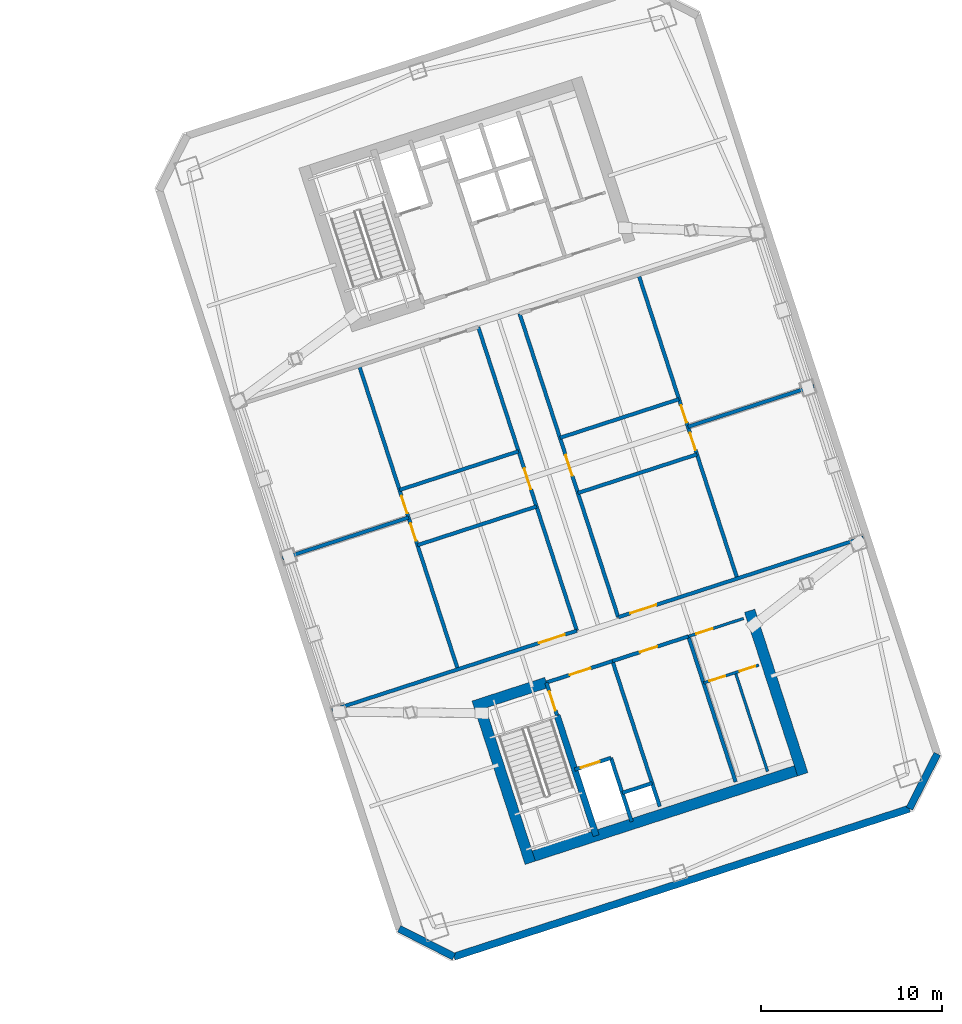
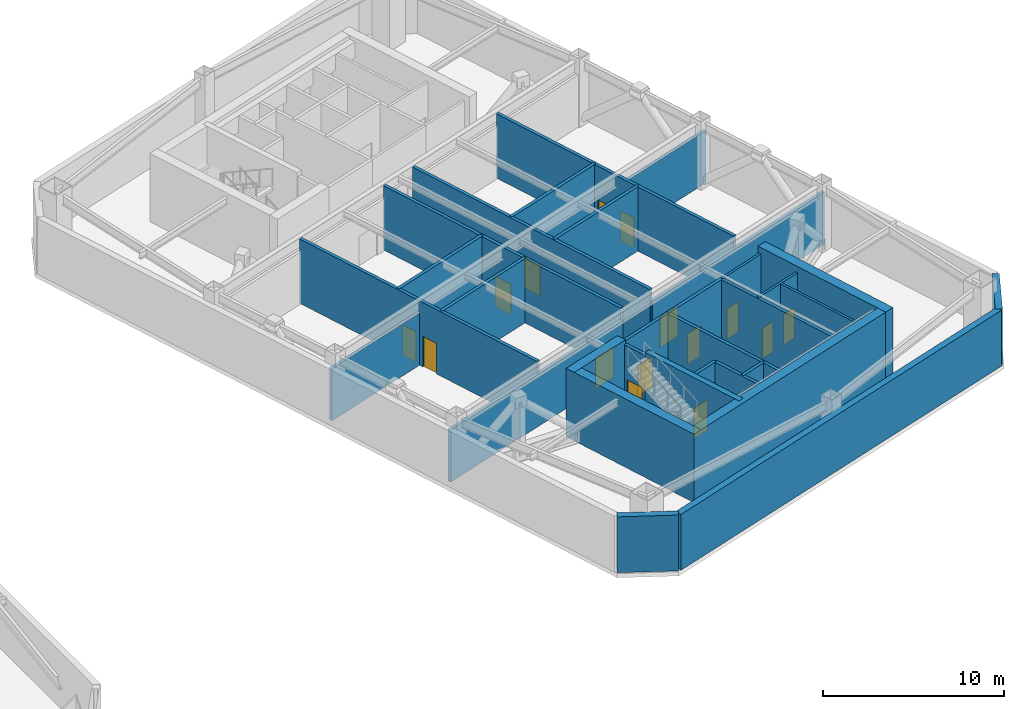
# One storey, part 10 of 14: 31 walls, 15 doors, 15 openings.
"""IFC4 building model written with IfcOpenShell, lengths in metres."""

from ifc_helpers import new_model, si_unit, direction, frame, frame_2d, origin, place, context, subcontext, project, spatial, rectangle, extrude, material, layer, layer_set, type_object, element, fill, save


model = new_model("IFC4")

# Units and contexts
model_context = context("Model", 3, precision=1e-05, world=origin(), true_north=direction((0.0, 1.0)))
body_context = subcontext(model_context, "Body", "Model", "MODEL_VIEW")
ifc_project = project(units=[si_unit("LENGTHUNIT", "METRE"), si_unit("AREAUNIT", "SQUARE_METRE"), si_unit("VOLUMEUNIT", "CUBIC_METRE"), si_unit("PLANEANGLEUNIT", "RADIAN"), si_unit("MASSUNIT", "GRAM", prefix="KILO")], contexts=[model_context])

# Site, building, storey
site_placement = place(None, origin())
site = spatial("IfcSite", under=ifc_project, at=site_placement, CompositionType="ELEMENT")
building_placement = place(site_placement, origin())
building = spatial("IfcBuilding", under=site, at=building_placement, Name="Qiaolan Cultural Towers", CompositionType="ELEMENT")
storey_placement = place(building_placement, frame((0.0, 0.0, 138.0)))
storey = spatial("IfcBuildingStorey", under=building, at=storey_placement, Name="L36", CompositionType="ELEMENT", Elevation=138.0)

# Walls
ifc_material_1 = material(Name="Concrete C50", Category="concrete")
ifc_layer_1 = layer(ifc_material_1, 0.35009765625)
ifc_layer_set_1 = layer_set([ifc_layer_1], Name="Concrete C50")
wall_type_1 = type_object("IfcWallType", Name="WL-CORE-350", PredefinedType="SHEAR", material=ifc_layer_set_1)
wall_1_placement = place(storey_placement, frame((90.486328125, 20.59423828125, 0.0), z_axis=(0.0, 0.0, 1.0), x_axis=(0.309020428229, -0.951055400562, 0.0)))
element("IfcWall", 1, at=wall_1_placement, inside=storey, type_object=wall_type_1, Name="L36 T2-CS Stair Core Dividing Web", PredefinedType="SHEAR", context=body_context, shape_type="SweptSolid", body=[
    extrude(rectangle(XDim=6.97998046875, YDim=0.35009765625, at=frame_2d((3.489990234375, 0.0))), origin(), (0.0, 0.0, 1.0), 4.60009765625),
])
ifc_material_2 = material(Name="Concrete C55", Category="concrete")
ifc_layer_2 = layer(ifc_material_2, 0.60009765625)
ifc_layer_set_2 = layer_set([ifc_layer_2], Name="Concrete C55")
wall_type_2 = type_object("IfcWallType", Name="WL-CORE-600", PredefinedType="SHEAR", material=ifc_layer_set_2)
wall_2_placement = place(storey_placement, frame((88.6298828125, 12.65185546875, 0.0), z_axis=(0.0, 0.0, 1.0), x_axis=(0.95105714907, 0.309015046886, 0.0)))
element("IfcWall", 2, at=wall_2_placement, inside=storey, type_object=wall_type_2, Name="L36 T2-CS Outer Core Shear Wall", PredefinedType="SHEAR", context=body_context, shape_type="SweptSolid", body=[
    extrude(rectangle(XDim=16.400146484375, YDim=0.60009765625, at=frame_2d((8.2001953125, 0.0))), origin(), (0.0, 0.0, 1.0), 4.60009765625),
])
wall_3_placement = place(storey_placement, frame((86.078369140625, 21.47509765625, 0.0), z_axis=(0.0, 0.0, 1.0), x_axis=(0.309017938678, -0.951056209472, 0.0)))
element("IfcWall", 3, at=wall_3_placement, inside=storey, type_object=wall_type_2, Name="L36 T2-CS West Core Shear Wall", PredefinedType="SHEAR", context=body_context, shape_type="SweptSolid", body=[
    extrude(rectangle(XDim=9.479736328125, YDim=0.60009765625, at=frame_2d((4.73974609375, 0.0))), origin(), (0.0, 0.0, 1.0), 4.60009765625),
])
wall_4_placement = place(storey_placement, frame((101.105224609375, 26.357666015625, 0.0), z_axis=(0.0, 0.0, 1.0), x_axis=(0.309010370028, -0.95105866865, 0.0)))
element("IfcWall", 4, at=wall_4_placement, inside=storey, type_object=wall_type_2, Name="L36 T2-CS East Core Shear Wall", PredefinedType="SHEAR", context=body_context, shape_type="SweptSolid", body=[
    extrude(rectangle(XDim=9.47998046875, YDim=0.60009765625, at=frame_2d((4.739990234375, 0.0))), origin(), (0.0, 0.0, 1.0), 4.60009765625),
])
wall_5_placement = place(storey_placement, frame((85.8857421875, 21.09716796875, 0.0), z_axis=(0.0, 0.0, 1.0), x_axis=(0.951068073652, 0.308981422225, 0.0)))
element("IfcWall", 5, at=wall_5_placement, inside=storey, type_object=wall_type_2, Name="L36 T2-CS Stair Front Shear Wall", PredefinedType="SHEAR", context=body_context, shape_type="SweptSolid", body=[
    extrude(rectangle(XDim=4.22021484375, YDim=0.60009765625, at=frame_2d((2.110107421875, 0.0))), origin(), (0.0, 0.0, 1.0), 4.60009765625),
])
ifc_material_3 = material(Name="Precast Concrete C50 Honed Stone Pier", Category="masonry")
ifc_layer_3 = layer(ifc_material_3, 0.39990234375)
ifc_layer_set_3 = layer_set([ifc_layer_3], Name="Precast Concrete C50 Honed Stone Pier")
wall_type_3 = type_object("IfcWallType", Name="WL-EXT-PIER-400", PredefinedType="SOLIDWALL", material=ifc_layer_set_3)
wall_6_placement = place(storey_placement, frame((111.449462890625, 18.468017578125, 0.0), z_axis=(0.0, 0.0, 1.0), x_axis=(-0.454019523198, -0.890991735402, 0.0)))
element("IfcWall", 6, at=wall_6_placement, inside=storey, type_object=wall_type_3, Name="L36 East Tower Precast Pier Facade Wall F6", PredefinedType="SOLIDWALL", context=body_context, shape_type="SweptSolid", body=[
    extrude(rectangle(XDim=3.39404296875, YDim=0.39990234375, at=frame_2d((1.697021484375, 0.0))), origin(), (0.0, 0.0, 1.0), 3.760009765625),
])
wall_7_placement = place(storey_placement, frame((109.908447265625, 15.44384765625, 0.0), z_axis=(0.0, 0.0, 1.0), x_axis=(-0.951057580055, -0.30901372044, 0.0)))
element("IfcWall", 7, at=wall_7_placement, inside=storey, type_object=wall_type_3, Name="L36 East Tower Precast Pier Facade Wall F7", PredefinedType="SOLIDWALL", context=body_context, shape_type="SweptSolid", body=[
    extrude(rectangle(XDim=26.39990234375, YDim=0.39990234375, at=frame_2d((13.199951171875, 0.0))), origin(), (0.0, 0.0, 1.0), 3.760009765625),
])
wall_8_placement = place(storey_placement, frame((84.800537109375, 7.285888671875, 0.0), z_axis=(0.0, 0.0, 1.0), x_axis=(-0.891020832027, 0.453962417932, 0.0)))
element("IfcWall", 8, at=wall_8_placement, inside=storey, type_object=wall_type_3, Name="L36 East Tower Precast Pier Facade Wall F8", PredefinedType="SOLIDWALL", context=body_context, shape_type="SweptSolid", body=[
    extrude(rectangle(XDim=3.39404296875, YDim=0.39990234375, at=frame_2d((1.697021484375, 0.0))), origin(), (0.0, 0.0, 1.0), 3.760009765625),
])

# Wall, opening, door
ifc_material_4 = material(Name="Concrete C35 Fire Wall", Category="concrete")
ifc_layer_4 = layer(ifc_material_4, 0.199951171875)
ifc_layer_set_4 = layer_set([ifc_layer_4], Name="Concrete C35 Fire Wall")
wall_type_4 = type_object("IfcWallType", Name="WL-FIRE-200", PredefinedType="PARTITIONING", material=ifc_layer_set_4)
wall_9_placement = place(storey_placement, frame((89.8994140625, 22.401123046875, 0.0), z_axis=(0.0, 0.0, 1.0), x_axis=(0.308932062672, -0.951084108086, 0.0)))
wall_9 = element("IfcWall", 9, at=wall_9_placement, inside=storey, type_object=wall_type_4, Name="L36 T2-CS Smokeproof Stair Entry Wall", PredefinedType="PARTITIONING", context=body_context, shape_type="SweptSolid", body=[
    extrude(rectangle(XDim=1.89990234375, YDim=0.199951171875, at=frame_2d((0.949951171875, 0.0))), origin(), (0.0, 0.0, 1.0), 4.324951171875),
])
opening_1_placement = place(wall_9_placement, frame((0.52001953125, 0.0, 0.0)))
opening_1 = element("IfcOpeningElement", 10, at=opening_1_placement, cuts=wall_9, Name="Opening FD-04", PredefinedType="OPENING", context=body_context, shape_type="SweptSolid", body=[
    extrude(rectangle(XDim=1.10009765625, YDim=2.050048828125, at=frame_2d((0.550048828125, 1.02490234375))), frame((0.0, 0.10986328125, 0.0), z_axis=(0.0, -1.0, 0.0), x_axis=(1.0, 0.0, 0.0)), (0.0, 0.0, 1.0), 0.219970703125),
])
ifc_material_5 = material(Name="Galvanized Steel Command Fire Door", Category="steel")
door_type_1 = type_object("IfcDoorType", Name="DR-FD90-1100", OperationType="NOTDEFINED", PredefinedType="DOOR", material=ifc_material_5)
door_1_placement = place(opening_1_placement, origin())
door_1 = element("IfcDoor", 11, at=door_1_placement, inside=storey, type_object=door_type_1, Name="L36 ST-E1 Smokeproof Stair Fire Door", OperationType="SINGLE_SWING_LEFT", OverallHeight=2.050048828125, OverallWidth=1.10009765625, PredefinedType="DOOR", context=body_context, shape_type="SweptSolid", body=[
    extrude(rectangle(XDim=1.10009765625, YDim=2.050048828125, at=frame_2d((0.550048828125, 1.02490234375))), frame((0.0, 0.02490234375, 0.0), z_axis=(0.0, -1.0, 0.0), x_axis=(1.0, 0.0, 0.0)), (0.0, 0.0, 1.0), 0.050048828125),
])
fill(opening_1, door_1)

# Wall
wall_10_placement = place(storey_placement, frame((93.541748046875, 23.584716796875, 0.0), z_axis=(0.0, 0.0, 1.0), x_axis=(0.309042196757, -0.951048327176, 0.0)))
element("IfcWall", 12, at=wall_10_placement, inside=storey, type_object=wall_type_4, Name="L36 T2-CS Firefighting Zone Wall", PredefinedType="PARTITIONING", context=body_context, shape_type="SweptSolid", body=[
    extrude(rectangle(XDim=8.429931640625, YDim=0.199951171875, at=frame_2d((4.21484375, 0.0))), origin(), (0.0, 0.0, 1.0), 4.324951171875),
])

# Wall, opening, door
wall_11_placement = place(storey_placement, frame((89.8994140625, 22.401123046875, 0.0), z_axis=(0.0, 0.0, 1.0), x_axis=(0.951046716504, 0.309047153403, 0.0)))
wall_11 = element("IfcWall", 13, at=wall_11_placement, inside=storey, type_object=wall_type_4, Name="L36 T2-CS Firefighting Lobby Front Wall", PredefinedType="PARTITIONING", context=body_context, shape_type="SweptSolid", body=[
    extrude(rectangle(XDim=3.829833984375, YDim=0.199951171875, at=frame_2d((1.9150390625, 0.0))), origin(), (0.0, 0.0, 1.0), 4.324951171875),
])
opening_2_placement = place(wall_11_placement, frame((1.35009765625, 0.0, 0.0)))
opening_2 = element("IfcOpeningElement", 14, at=opening_2_placement, cuts=wall_11, Name="Opening FD-03", PredefinedType="OPENING", context=body_context, shape_type="SweptSolid", body=[
    extrude(rectangle(XDim=1.199951171875, YDim=2.050048828125, at=frame_2d((0.60009765625, 1.02490234375))), frame((0.0, 0.10986328125, 0.0), z_axis=(0.0, -1.0, 0.0), x_axis=(1.0, 0.0, 0.0)), (0.0, 0.0, 1.0), 0.219970703125),
])
ifc_material_6 = material(Name="Galvanized Steel Smokeproof Lobby Fire Door", Category="steel")
door_type_2 = type_object("IfcDoorType", Name="DR-FD90-1200", OperationType="NOTDEFINED", PredefinedType="DOOR", material=ifc_material_6)
door_2_placement = place(opening_2_placement, origin())
door_2 = element("IfcDoor", 15, at=door_2_placement, inside=storey, type_object=door_type_2, Name="L36 FFL-E1 Firefighting Lobby Fire Door", OperationType="SINGLE_SWING_LEFT", OverallHeight=2.050048828125, OverallWidth=1.199951171875, PredefinedType="DOOR", context=body_context, shape_type="SweptSolid", body=[
    extrude(rectangle(XDim=1.199951171875, YDim=2.050048828125, at=frame_2d((0.60009765625, 1.02490234375))), frame((0.0, 0.02490234375, 0.0), z_axis=(0.0, -1.0, 0.0), x_axis=(1.0, 0.0, 0.0)), (0.0, 0.0, 1.0), 0.050048828125),
])
fill(opening_2, door_2)

wall_12_placement = place(storey_placement, frame((91.459716796875, 17.598388671875, 0.0), z_axis=(0.0, 0.0, 1.0), x_axis=(0.951062257173, 0.308999325213, 0.0)))
wall_12 = element("IfcWall", 16, at=wall_12_placement, inside=storey, type_object=wall_type_4, Name="L36 T2-CS Firefighting Shaft Front Wall", PredefinedType="PARTITIONING", context=body_context, shape_type="SweptSolid", body=[
    extrude(rectangle(XDim=2.10009765625, YDim=0.199951171875, at=frame_2d((1.050048828125, 0.0))), origin(), (0.0, 0.0, 1.0), 4.324951171875),
])
opening_3_placement = place(wall_12_placement, frame((0.35009765625, 0.0, 0.0)))
opening_3 = element("IfcOpeningElement", 17, at=opening_3_placement, cuts=wall_12, Name="Opening LD-01", PredefinedType="OPENING", context=body_context, shape_type="SweptSolid", body=[
    extrude(rectangle(XDim=1.10009765625, YDim=2.050048828125, at=frame_2d((0.550048828125, 1.02490234375))), frame((0.0, 0.10986328125, 0.0), z_axis=(0.0, -1.0, 0.0), x_axis=(1.0, 0.0, 0.0)), (0.0, 0.0, 1.0), 0.219970703125),
])
ifc_material_7 = material(Name="Brushed Stainless Steel S30408 Centre-Parting Lift Landing Door", Category="steel")
door_type_3 = type_object("IfcDoorType", Name="DR-LIFT-1100", OperationType="NOTDEFINED", PredefinedType="DOOR", material=ifc_material_7)
door_3_placement = place(opening_3_placement, origin())
door_3 = element("IfcDoor", 18, at=door_3_placement, inside=storey, type_object=door_type_3, Name="L36 FFL-E1 Firefighting Lift Landing Door", OperationType="DOUBLE_DOOR_SLIDING", OverallHeight=2.050048828125, OverallWidth=1.10009765625, PredefinedType="DOOR", context=body_context, shape_type="SweptSolid", body=[
    extrude(rectangle(XDim=1.10009765625, YDim=2.050048828125, at=frame_2d((0.550048828125, 1.02490234375))), frame((0.0, 0.02490234375, 0.0), z_axis=(0.0, -1.0, 0.0), x_axis=(1.0, 0.0, 0.0)), (0.0, 0.0, 1.0), 0.050048828125),
])
fill(opening_3, door_3)

# Walls
wall_13_placement = place(storey_placement, frame((93.45703125, 18.247314453125, 0.0), z_axis=(0.0, 0.0, 1.0), x_axis=(0.3089935693, -0.951064127245, 0.0)))
element("IfcWall", 19, at=wall_13_placement, inside=storey, type_object=wall_type_4, Name="L36 T2-CS Firefighting Hoistway East Wall", PredefinedType="PARTITIONING", context=body_context, shape_type="SweptSolid", body=[
    extrude(rectangle(XDim=3.7001953125, YDim=0.199951171875, at=frame_2d((1.85009765625, 0.0))), origin(), (0.0, 0.0, 1.0), 4.324951171875),
])
wall_14_placement = place(storey_placement, frame((94.08447265625, 16.316650390625, 0.0), z_axis=(0.0, 0.0, 1.0), x_axis=(0.951041328149, 0.309063734775, 0.0)))
element("IfcWall", 20, at=wall_14_placement, inside=storey, type_object=wall_type_4, Name="L36 T2-CS Pressurization Shaft Front Wall", PredefinedType="PARTITIONING", context=body_context, shape_type="SweptSolid", body=[
    extrude(rectangle(XDim=1.72998046875, YDim=0.199951171875, at=frame_2d((0.864990234375, 0.0))), origin(), (0.0, 0.0, 1.0), 4.324951171875),
])
wall_15_placement = place(storey_placement, frame((97.7265625, 24.9443359375, 0.0), z_axis=(0.0, 0.0, 1.0), x_axis=(0.309016001439, -0.951056838919, 0.0)))
element("IfcWall", 21, at=wall_15_placement, inside=storey, type_object=wall_type_4, Name="L36 T2-CS Lift Core East Wall", PredefinedType="PARTITIONING", context=body_context, shape_type="SweptSolid", body=[
    extrude(rectangle(XDim=8.429931640625, YDim=0.199951171875, at=frame_2d((4.21484375, 0.0))), origin(), (0.0, 0.0, 1.0), 4.324951171875),
])

# Wall, opening, door
wall_16_placement = place(storey_placement, frame((93.541748046875, 23.584716796875, 0.0), z_axis=(0.0, 0.0, 1.0), x_axis=(0.951063829732, 0.308994485023, 0.0)))
wall_16 = element("IfcWall", 22, at=wall_16_placement, inside=storey, type_object=wall_type_4, Name="L36 T2-CS Refuge Core Riser Wall", PredefinedType="PARTITIONING", context=body_context, shape_type="SweptSolid", body=[
    extrude(rectangle(XDim=4.400146484375, YDim=0.199951171875, at=frame_2d((2.2001953125, 0.0))), origin(), (0.0, 0.0, 1.0), 4.324951171875),
])
opening_4_placement = place(wall_16_placement, frame((1.60009765625, 0.0, 0.0)))
opening_4 = element("IfcOpeningElement", 23, at=opening_4_placement, cuts=wall_16, Name="Opening FD-07", PredefinedType="OPENING", context=body_context, shape_type="SweptSolid", body=[
    extrude(rectangle(XDim=1.0, YDim=2.050048828125, at=frame_2d((0.5, 1.02490234375))), frame((0.0, 0.10986328125, 0.0), z_axis=(0.0, -1.0, 0.0), x_axis=(1.0, 0.0, 0.0)), (0.0, 0.0, 1.0), 0.219970703125),
])
ifc_material_8 = material(Name="Painted Steel Riser Fire Door", Category="steel")
door_type_4 = type_object("IfcDoorType", Name="DR-FD60-1000", OperationType="NOTDEFINED", PredefinedType="DOOR", material=ifc_material_8)
door_4_placement = place(opening_4_placement, origin())
door_4 = element("IfcDoor", 24, at=door_4_placement, inside=storey, type_object=door_type_4, Name="L36 Core Plant Room Door", OperationType="SINGLE_SWING_LEFT", OverallHeight=2.050048828125, OverallWidth=1.0, PredefinedType="DOOR", context=body_context, shape_type="SweptSolid", body=[
    extrude(rectangle(XDim=1.0, YDim=2.050048828125, at=frame_2d((0.5, 1.02490234375))), frame((0.0, 0.02490234375, 0.0), z_axis=(0.0, -1.0, 0.0), x_axis=(1.0, 0.0, 0.0)), (0.0, 0.0, 1.0), 0.050048828125),
])
fill(opening_4, door_4)

wall_17_placement = place(storey_placement, frame((78.072998046875, 20.871826171875, 0.0), z_axis=(0.0, 0.0, 1.0), x_axis=(0.951059461247, 0.3090079306, 0.0)))
wall_17 = element("IfcWall", 25, at=wall_17_placement, inside=storey, type_object=wall_type_4, Name="L36 T2 Fire Rated Plant/Refuge Wall SBW", PredefinedType="PARTITIONING", context=body_context, shape_type="SweptSolid", body=[
    extrude(rectangle(XDim=14.2001953125, YDim=0.199951171875, at=frame_2d((7.10009765625, 0.0))), origin(), (0.0, 0.0, 1.0), 3.514892578125),
])
opening_5_placement = place(wall_17_placement, frame((12.0, 0.0, 0.0)))
opening_5 = element("IfcOpeningElement", 26, at=opening_5_placement, cuts=wall_17, Name="Opening FD-02", PredefinedType="OPENING", context=body_context, shape_type="SweptSolid", body=[
    extrude(rectangle(XDim=1.5, YDim=2.050048828125, at=frame_2d((0.75, 1.02490234375))), frame((0.0, 0.10986328125, 0.0), z_axis=(0.0, -1.0, 0.0), x_axis=(1.0, 0.0, 0.0)), (0.0, 0.0, 1.0), 0.219970703125),
])
ifc_material_9 = material(Name="Galvanized Steel Double Fire Door", Category="steel")
door_type_5 = type_object("IfcDoorType", Name="DR-FD90-1500", OperationType="NOTDEFINED", PredefinedType="DOOR", material=ifc_material_9)
door_5_placement = place(opening_5_placement, origin())
door_5 = element("IfcDoor", 27, at=door_5_placement, inside=storey, type_object=door_type_5, Name="L36 T2 West South Refuge Fire Door", OperationType="SINGLE_SWING_LEFT", OverallHeight=2.050048828125, OverallWidth=1.5, PredefinedType="DOOR", context=body_context, shape_type="SweptSolid", body=[
    extrude(rectangle(XDim=1.5, YDim=2.050048828125, at=frame_2d((0.75, 1.02490234375))), frame((0.0, 0.02490234375, 0.0), z_axis=(0.0, -1.0, 0.0), x_axis=(1.0, 0.0, 0.0)), (0.0, 0.0, 1.0), 0.050048828125),
])
fill(opening_5, door_5)

wall_18_placement = place(storey_placement, frame((93.860595703125, 26.00146484375, 0.0), z_axis=(0.0, 0.0, 1.0), x_axis=(0.951054408413, 0.309023481693, 0.0)))
wall_18 = element("IfcWall", 28, at=wall_18_placement, inside=storey, type_object=wall_type_4, Name="L36 T2 Fire Rated Plant/Refuge Wall SBE", PredefinedType="PARTITIONING", context=body_context, shape_type="SweptSolid", body=[
    extrude(rectangle(XDim=14.2001953125, YDim=0.199951171875, at=frame_2d((7.10009765625, 0.0))), origin(), (0.0, 0.0, 1.0), 3.514892578125),
])
opening_6_placement = place(wall_18_placement, frame((0.699951171875, 0.0, 0.0)))
opening_6 = element("IfcOpeningElement", 29, at=opening_6_placement, cuts=wall_18, Name="Opening FD-02", PredefinedType="OPENING", context=body_context, shape_type="SweptSolid", body=[
    extrude(rectangle(XDim=1.5, YDim=2.050048828125, at=frame_2d((0.75, 1.02490234375))), frame((0.0, 0.10986328125, 0.0), z_axis=(0.0, -1.0, 0.0), x_axis=(1.0, 0.0, 0.0)), (0.0, 0.0, 1.0), 0.219970703125),
])
door_6_placement = place(opening_6_placement, origin())
door_6 = element("IfcDoor", 30, at=door_6_placement, inside=storey, type_object=door_type_5, Name="L36 T2 East South Refuge Fire Door", OperationType="SINGLE_SWING_RIGHT", OverallHeight=2.050048828125, OverallWidth=1.5, PredefinedType="DOOR", context=body_context, shape_type="SweptSolid", body=[
    extrude(rectangle(XDim=1.5, YDim=2.050048828125, at=frame_2d((0.75, 1.02490234375))), frame((0.0, 0.02490234375, 0.0), z_axis=(0.0, -1.0, 0.0), x_axis=(1.0, 0.0, 0.0)), (0.0, 0.0, 1.0), 0.050048828125),
])
fill(opening_6, door_6)

wall_19_placement = place(storey_placement, frame((91.578125, 25.259765625, 0.0), z_axis=(0.0, 0.0, 1.0), x_axis=(-0.30901518495, 0.951057104211, 0.0)))
wall_19 = element("IfcWall", 31, at=wall_19_placement, inside=storey, type_object=wall_type_4, Name="L36 T2 Fire Rated Plant/Refuge Wall CL", PredefinedType="PARTITIONING", context=body_context, shape_type="SweptSolid", body=[
    extrude(rectangle(XDim=17.60009765625, YDim=0.199951171875, at=frame_2d((8.800048828125, 0.0))), origin(), (0.0, 0.0, 1.0), 4.324951171875),
])
opening_7_placement = place(wall_19_placement, frame((8.199951171875, 0.0, 0.0)))
opening_7 = element("IfcOpeningElement", 32, at=opening_7_placement, cuts=wall_19, Name="Opening FD-03", PredefinedType="OPENING", context=body_context, shape_type="SweptSolid", body=[
    extrude(rectangle(XDim=1.199951171875, YDim=2.050048828125, at=frame_2d((0.60009765625, 1.02490234375))), frame((0.0, 0.10986328125, 0.0), z_axis=(0.0, -1.0, 0.0), x_axis=(1.0, 0.0, 0.0)), (0.0, 0.0, 1.0), 0.219970703125),
])
door_7_placement = place(opening_7_placement, origin())
door_7 = element("IfcDoor", 33, at=door_7_placement, inside=storey, type_object=door_type_2, Name="L36 T2 West Plant Passage Door", OperationType="SINGLE_SWING_LEFT", OverallHeight=2.050048828125, OverallWidth=1.199951171875, PredefinedType="DOOR", context=body_context, shape_type="SweptSolid", body=[
    extrude(rectangle(XDim=1.199951171875, YDim=2.050048828125, at=frame_2d((0.60009765625, 1.02490234375))), frame((0.0, 0.02490234375, 0.0), z_axis=(0.0, -1.0, 0.0), x_axis=(1.0, 0.0, 0.0)), (0.0, 0.0, 1.0), 0.050048828125),
])
fill(opening_7, door_7)

wall_20_placement = place(storey_placement, frame((93.860595703125, 26.00146484375, 0.0), z_axis=(0.0, 0.0, 1.0), x_axis=(-0.30901518495, 0.951057104211, 0.0)))
wall_20 = element("IfcWall", 34, at=wall_20_placement, inside=storey, type_object=wall_type_4, Name="L36 T2 Fire Rated Plant/Refuge Wall CR", PredefinedType="PARTITIONING", context=body_context, shape_type="SweptSolid", body=[
    extrude(rectangle(XDim=17.60009765625, YDim=0.199951171875, at=frame_2d((8.800048828125, 0.0))), origin(), (0.0, 0.0, 1.0), 4.324951171875),
])
opening_8_placement = place(wall_20_placement, frame((8.199951171875, 0.0, 0.0)))
opening_8 = element("IfcOpeningElement", 35, at=opening_8_placement, cuts=wall_20, Name="Opening FD-03", PredefinedType="OPENING", context=body_context, shape_type="SweptSolid", body=[
    extrude(rectangle(XDim=1.199951171875, YDim=2.050048828125, at=frame_2d((0.60009765625, 1.02490234375))), frame((0.0, 0.10986328125, 0.0), z_axis=(0.0, -1.0, 0.0), x_axis=(1.0, 0.0, 0.0)), (0.0, 0.0, 1.0), 0.219970703125),
])
door_8_placement = place(opening_8_placement, origin())
door_8 = element("IfcDoor", 36, at=door_8_placement, inside=storey, type_object=door_type_2, Name="L36 T2 East Plant Passage Door", OperationType="SINGLE_SWING_RIGHT", OverallHeight=2.050048828125, OverallWidth=1.199951171875, PredefinedType="DOOR", context=body_context, shape_type="SweptSolid", body=[
    extrude(rectangle(XDim=1.199951171875, YDim=2.050048828125, at=frame_2d((0.60009765625, 1.02490234375))), frame((0.0, 0.02490234375, 0.0), z_axis=(0.0, -1.0, 0.0), x_axis=(1.0, 0.0, 0.0)), (0.0, 0.0, 1.0), 0.050048828125),
])
fill(opening_8, door_8)

# Wall, openings, doors
wall_21_placement = place(storey_placement, frame((85.015869140625, 23.127685546875, 0.0), z_axis=(0.0, 0.0, 1.0), x_axis=(-0.309019261708, 0.951055779591, 0.0)))
wall_21 = element("IfcWall", 37, at=wall_21_placement, inside=storey, type_object=wall_type_4, Name="L36 T2 Fire Rated Plant/Refuge Wall WL", PredefinedType="PARTITIONING", context=body_context, shape_type="SweptSolid", body=[
    extrude(rectangle(XDim=17.599853515625, YDim=0.199951171875, at=frame_2d((8.7998046875, 0.0))), origin(), (0.0, 0.0, 1.0), 4.324951171875),
])
opening_9_placement = place(wall_21_placement, frame((7.449951171875, 0.0, 0.0)))
opening_9 = element("IfcOpeningElement", 38, at=opening_9_placement, cuts=wall_21, Name="Opening FD-07", PredefinedType="OPENING", context=body_context, shape_type="SweptSolid", body=[
    extrude(rectangle(XDim=1.0, YDim=2.050048828125, at=frame_2d((0.5, 1.02490234375))), frame((0.0, 0.10986328125, 0.0), z_axis=(0.0, -1.0, 0.0), x_axis=(1.0, 0.0, 0.0)), (0.0, 0.0, 1.0), 0.219970703125),
])
opening_10_placement = place(wall_21_placement, frame((9.050048828125, 0.0, 0.0)))
opening_10 = element("IfcOpeningElement", 39, at=opening_10_placement, cuts=wall_21, Name="Opening FD-07", PredefinedType="OPENING", context=body_context, shape_type="SweptSolid", body=[
    extrude(rectangle(XDim=1.0, YDim=2.050048828125, at=frame_2d((0.5, 1.02490234375))), frame((0.0, 0.10986328125, 0.0), z_axis=(0.0, -1.0, 0.0), x_axis=(1.0, 0.0, 0.0)), (0.0, 0.0, 1.0), 0.219970703125),
])
door_9_placement = place(opening_9_placement, origin())
door_9 = element("IfcDoor", 40, at=door_9_placement, inside=storey, type_object=door_type_4, Name="L36 T2 West Chiller Plant Door", OperationType="SINGLE_SWING_LEFT", OverallHeight=2.050048828125, OverallWidth=1.0, PredefinedType="DOOR", context=body_context, shape_type="SweptSolid", body=[
    extrude(rectangle(XDim=1.0, YDim=2.050048828125, at=frame_2d((0.5, 1.02490234375))), frame((0.0, 0.02490234375, 0.0), z_axis=(0.0, -1.0, 0.0), x_axis=(1.0, 0.0, 0.0)), (0.0, 0.0, 1.0), 0.050048828125),
])
fill(opening_9, door_9)
door_10_placement = place(opening_10_placement, origin())
door_10 = element("IfcDoor", 41, at=door_10_placement, inside=storey, type_object=door_type_4, Name="L36 T2 West Fire Water Pump Plant Door", OperationType="SINGLE_SWING_RIGHT", OverallHeight=2.050048828125, OverallWidth=1.0, PredefinedType="DOOR", context=body_context, shape_type="SweptSolid", body=[
    extrude(rectangle(XDim=1.0, YDim=2.050048828125, at=frame_2d((0.5, 1.02490234375))), frame((0.0, 0.02490234375, 0.0), z_axis=(0.0, -1.0, 0.0), x_axis=(1.0, 0.0, 0.0)), (0.0, 0.0, 1.0), 0.050048828125),
])
fill(opening_10, door_10)

wall_22_placement = place(storey_placement, frame((100.4228515625, 28.1337890625, 0.0), z_axis=(0.0, 0.0, 1.0), x_axis=(-0.309019261708, 0.951055779591, 0.0)))
wall_22 = element("IfcWall", 42, at=wall_22_placement, inside=storey, type_object=wall_type_4, Name="L36 T2 Fire Rated Plant/Refuge Wall ER", PredefinedType="PARTITIONING", context=body_context, shape_type="SweptSolid", body=[
    extrude(rectangle(XDim=17.599853515625, YDim=0.199951171875, at=frame_2d((8.7998046875, 0.0))), origin(), (0.0, 0.0, 1.0), 4.324951171875),
])
opening_11_placement = place(wall_22_placement, frame((7.449951171875, 0.0, 0.0)))
opening_11 = element("IfcOpeningElement", 43, at=opening_11_placement, cuts=wall_22, Name="Opening FD-07", PredefinedType="OPENING", context=body_context, shape_type="SweptSolid", body=[
    extrude(rectangle(XDim=1.0, YDim=2.050048828125, at=frame_2d((0.5, 1.02490234375))), frame((0.0, 0.10986328125, 0.0), z_axis=(0.0, -1.0, 0.0), x_axis=(1.0, 0.0, 0.0)), (0.0, 0.0, 1.0), 0.219970703125),
])
opening_12_placement = place(wall_22_placement, frame((9.050048828125, 0.0, 0.0)))
opening_12 = element("IfcOpeningElement", 44, at=opening_12_placement, cuts=wall_22, Name="Opening FD-07", PredefinedType="OPENING", context=body_context, shape_type="SweptSolid", body=[
    extrude(rectangle(XDim=1.0, YDim=2.050048828125, at=frame_2d((0.5, 1.02490234375))), frame((0.0, 0.10986328125, 0.0), z_axis=(0.0, -1.0, 0.0), x_axis=(1.0, 0.0, 0.0)), (0.0, 0.0, 1.0), 0.219970703125),
])
door_11_placement = place(opening_11_placement, origin())
door_11 = element("IfcDoor", 45, at=door_11_placement, inside=storey, type_object=door_type_4, Name="L36 T2 East AHU Plant Door", OperationType="SINGLE_SWING_LEFT", OverallHeight=2.050048828125, OverallWidth=1.0, PredefinedType="DOOR", context=body_context, shape_type="SweptSolid", body=[
    extrude(rectangle(XDim=1.0, YDim=2.050048828125, at=frame_2d((0.5, 1.02490234375))), frame((0.0, 0.02490234375, 0.0), z_axis=(0.0, -1.0, 0.0), x_axis=(1.0, 0.0, 0.0)), (0.0, 0.0, 1.0), 0.050048828125),
])
fill(opening_11, door_11)
door_12_placement = place(opening_12_placement, origin())
door_12 = element("IfcDoor", 46, at=door_12_placement, inside=storey, type_object=door_type_4, Name="L36 T2 East Electrical Substation Door", OperationType="SINGLE_SWING_RIGHT", OverallHeight=2.050048828125, OverallWidth=1.0, PredefinedType="DOOR", context=body_context, shape_type="SweptSolid", body=[
    extrude(rectangle(XDim=1.0, YDim=2.050048828125, at=frame_2d((0.5, 1.02490234375))), frame((0.0, 0.02490234375, 0.0), z_axis=(0.0, -1.0, 0.0), x_axis=(1.0, 0.0, 0.0)), (0.0, 0.0, 1.0), 0.050048828125),
])
fill(opening_12, door_12)

# Walls
for number, where, z_axis, x_axis, name in (
    (47, (75.353759765625, 29.2412109375, 0.0), (0.0, 0.0, 1.0), (0.951053974497, 0.309024817117, 0.0), "L36 T2 Fire Rated Plant/Refuge Wall WMID"),
    (48, (97.70361328125, 36.5029296875, 0.0), (0.0, 0.0, 1.0), (0.951053974497, 0.309024817117, 0.0), "L36 T2 Fire Rated Plant/Refuge Wall EMID"),
):
    element("IfcWall", number, at=place(storey_placement, frame(where, z_axis=z_axis, x_axis=x_axis)), inside=storey, type_object=wall_type_4, Name=name, PredefinedType="PARTITIONING", context=body_context, shape_type="SweptSolid", body=[
        extrude(rectangle(XDim=7.300048828125, YDim=0.199951171875, at=frame_2d((3.64990234375, 0.0))), origin(), (0.0, 0.0, 1.0), 3.514892578125),
    ])
wall_23_placement = place(storey_placement, frame((82.790771484375, 29.975341796875, 0.0), z_axis=(0.0, 0.0, 1.0), x_axis=(0.951065265554, 0.308990065628, 0.0)))
element("IfcWall", 49, at=wall_23_placement, inside=storey, type_object=wall_type_4, Name="L36 T2 Fire Rated Plant/Refuge Wall SVS-WL", PredefinedType="PARTITIONING", context=body_context, shape_type="SweptSolid", body=[
    extrude(rectangle(XDim=6.900146484375, YDim=0.199951171875, at=frame_2d((3.4501953125, 0.0))), origin(), (0.0, 0.0, 1.0), 4.324951171875),
])
for number, where, z_axis, x_axis, name in (
    (50, (81.802001953125, 33.0185546875, 0.0), (0.0, 0.0, 1.0), (0.951051488548, 0.309032467762, 0.0), "L36 T2 Fire Rated Plant/Refuge Wall SVS-NL"),
    (51, (91.6357421875, 32.84912109375, 0.0), (0.0, 0.0, 1.0), (0.951051488548, 0.309032467762, 0.0), "L36 T2 Fire Rated Plant/Refuge Wall SVS-WR"),
):
    element("IfcWall", number, at=place(storey_placement, frame(where, z_axis=z_axis, x_axis=x_axis)), inside=storey, type_object=wall_type_4, Name=name, PredefinedType="PARTITIONING", context=body_context, shape_type="SweptSolid", body=[
        extrude(rectangle(XDim=6.89990234375, YDim=0.199951171875, at=frame_2d((3.449951171875, 0.0))), origin(), (0.0, 0.0, 1.0), 4.324951171875),
    ])
wall_24_placement = place(storey_placement, frame((90.646728515625, 35.892578125, 0.0), z_axis=(0.0, 0.0, 1.0), x_axis=(0.951065265554, 0.308990065628, 0.0)))
element("IfcWall", 52, at=wall_24_placement, inside=storey, type_object=wall_type_4, Name="L36 T2 Fire Rated Plant/Refuge Wall SVS-NR", PredefinedType="PARTITIONING", context=body_context, shape_type="SweptSolid", body=[
    extrude(rectangle(XDim=6.900146484375, YDim=0.199951171875, at=frame_2d((3.4501953125, 0.0))), origin(), (0.0, 0.0, 1.0), 4.324951171875),
])

# Wall, opening, door
ifc_material_10 = material(Name="Autoclaved Aerated Concrete Block B06", Category="concrete")
ifc_layer_5 = layer(ifc_material_10, 0.14990234375)
ifc_layer_set_5 = layer_set([ifc_layer_5], Name="Autoclaved Aerated Concrete Block B06")
wall_type_5 = type_object("IfcWallType", Name="WL-PART-150", PredefinedType="PARTITIONING", material=ifc_layer_set_5)
wall_25_placement = place(storey_placement, frame((97.7265625, 24.9443359375, 0.0), z_axis=(0.0, 0.0, 1.0), x_axis=(0.951036872128, 0.309077446369, 0.0)))
wall_25 = element("IfcWall", 53, at=wall_25_placement, inside=storey, type_object=wall_type_5, Name="L36 T2-CS Sanitary Core Front Wall", PredefinedType="PARTITIONING", context=body_context, shape_type="SweptSolid", body=[
    extrude(rectangle(XDim=3.199951171875, YDim=0.14990234375, at=frame_2d((1.60009765625, 0.0))), origin(), (0.0, 0.0, 1.0), 4.324951171875),
])
opening_13_placement = place(wall_25_placement, frame((0.449951171875, 0.0, 0.0)))
opening_13 = element("IfcOpeningElement", 54, at=opening_13_placement, cuts=wall_25, Name="Opening ID-05", PredefinedType="OPENING", context=body_context, shape_type="SweptSolid", body=[
    extrude(rectangle(XDim=0.949951171875, YDim=2.050048828125, at=frame_2d((0.47509765625, 1.02490234375))), frame((0.0, 0.0849609375, 0.0), z_axis=(0.0, -1.0, 0.0), x_axis=(1.0, 0.0, 0.0)), (0.0, 0.0, 1.0), 0.169921875),
])
ifc_material_11 = material(Name="Fire-Rated Laminate Accessible Core Door", Category="timber")
door_type_6 = type_object("IfcDoorType", Name="DR-INT-950", OperationType="NOTDEFINED", PredefinedType="DOOR", material=ifc_material_11)
door_13_placement = place(opening_13_placement, origin())
door_13 = element("IfcDoor", 55, at=door_13_placement, inside=storey, type_object=door_type_6, Name="L36 Sanitary Vestibule Door", OperationType="SINGLE_SWING_LEFT", OverallHeight=2.050048828125, OverallWidth=0.949951171875, PredefinedType="DOOR", context=body_context, shape_type="SweptSolid", body=[
    extrude(rectangle(XDim=0.949951171875, YDim=2.050048828125, at=frame_2d((0.47509765625, 1.02490234375))), frame((0.0, 0.02490234375, 0.0), z_axis=(0.0, -1.0, 0.0), x_axis=(1.0, 0.0, 0.0)), (0.0, 0.0, 1.0), 0.050048828125),
])
fill(opening_13, door_13)

# Wall, openings, doors
wall_26_placement = place(storey_placement, frame((98.560791015625, 22.37646484375, 0.0), z_axis=(0.0, 0.0, 1.0), x_axis=(0.95104415986, 0.309055020985, 0.0)))
wall_26 = element("IfcWall", 56, at=wall_26_placement, inside=storey, type_object=wall_type_5, Name="L36 T2-CS Restroom Vestibule Wall", PredefinedType="PARTITIONING", context=body_context, shape_type="SweptSolid", body=[
    extrude(rectangle(XDim=3.2001953125, YDim=0.14990234375, at=frame_2d((1.60009765625, 0.0))), origin(), (0.0, 0.0, 1.0), 4.324951171875),
])
opening_14_placement = place(wall_26_placement, frame((0.35009765625, 0.0, 0.0)))
opening_14 = element("IfcOpeningElement", 57, at=opening_14_placement, cuts=wall_26, Name="Opening ID-06", PredefinedType="OPENING", context=body_context, shape_type="SweptSolid", body=[
    extrude(rectangle(XDim=0.89990234375, YDim=2.050048828125, at=frame_2d((0.449951171875, 1.02490234375))), frame((0.0, 0.0849609375, 0.0), z_axis=(0.0, -1.0, 0.0), x_axis=(1.0, 0.0, 0.0)), (0.0, 0.0, 1.0), 0.169921875),
])
opening_15_placement = place(wall_26_placement, frame((2.10009765625, 0.0, 0.0)))
opening_15 = element("IfcOpeningElement", 58, at=opening_15_placement, cuts=wall_26, Name="Opening ID-06", PredefinedType="OPENING", context=body_context, shape_type="SweptSolid", body=[
    extrude(rectangle(XDim=0.89990234375, YDim=2.050048828125, at=frame_2d((0.449951171875, 1.02490234375))), frame((0.0, 0.0849609375, 0.0), z_axis=(0.0, -1.0, 0.0), x_axis=(1.0, 0.0, 0.0)), (0.0, 0.0, 1.0), 0.169921875),
])
ifc_material_12 = material(Name="Fire-Rated Laminate Core Service Door", Category="timber")
door_type_7 = type_object("IfcDoorType", Name="DR-INT-900", OperationType="NOTDEFINED", PredefinedType="DOOR", material=ifc_material_12)
door_14_placement = place(opening_14_placement, origin())
door_14 = element("IfcDoor", 59, at=door_14_placement, inside=storey, type_object=door_type_7, Name="L36 Men Restroom Door", OperationType="SINGLE_SWING_LEFT", OverallHeight=2.050048828125, OverallWidth=0.89990234375, PredefinedType="DOOR", context=body_context, shape_type="SweptSolid", body=[
    extrude(rectangle(XDim=0.89990234375, YDim=2.050048828125, at=frame_2d((0.449951171875, 1.02490234375))), frame((0.0, 0.02490234375, 0.0), z_axis=(0.0, -1.0, 0.0), x_axis=(1.0, 0.0, 0.0)), (0.0, 0.0, 1.0), 0.050048828125),
])
fill(opening_14, door_14)
door_15_placement = place(opening_15_placement, origin())
door_15 = element("IfcDoor", 60, at=door_15_placement, inside=storey, type_object=door_type_7, Name="L36 Accessible & Women Restroom Door", OperationType="SINGLE_SWING_RIGHT", OverallHeight=2.050048828125, OverallWidth=0.89990234375, PredefinedType="DOOR", context=body_context, shape_type="SweptSolid", body=[
    extrude(rectangle(XDim=0.89990234375, YDim=2.050048828125, at=frame_2d((0.449951171875, 1.02490234375))), frame((0.0, 0.02490234375, 0.0), z_axis=(0.0, -1.0, 0.0), x_axis=(1.0, 0.0, 0.0)), (0.0, 0.0, 1.0), 0.050048828125),
])
fill(opening_15, door_15)

# Wall
wall_27_placement = place(storey_placement, frame((100.3203125, 22.9482421875, 0.0), z_axis=(0.0, 0.0, 1.0), x_axis=(0.309035009867, -0.951050662518, 0.0)))
element("IfcWall", 61, at=wall_27_placement, inside=storey, type_object=wall_type_5, Name="L36 T2-CS Restroom Divider Wall", PredefinedType="PARTITIONING", context=body_context, shape_type="SweptSolid", body=[
    extrude(rectangle(XDim=5.72998046875, YDim=0.14990234375, at=frame_2d((2.864990234375, 0.0))), origin(), (0.0, 0.0, 1.0), 4.324951171875),
])

save(model, "model.ifc")
